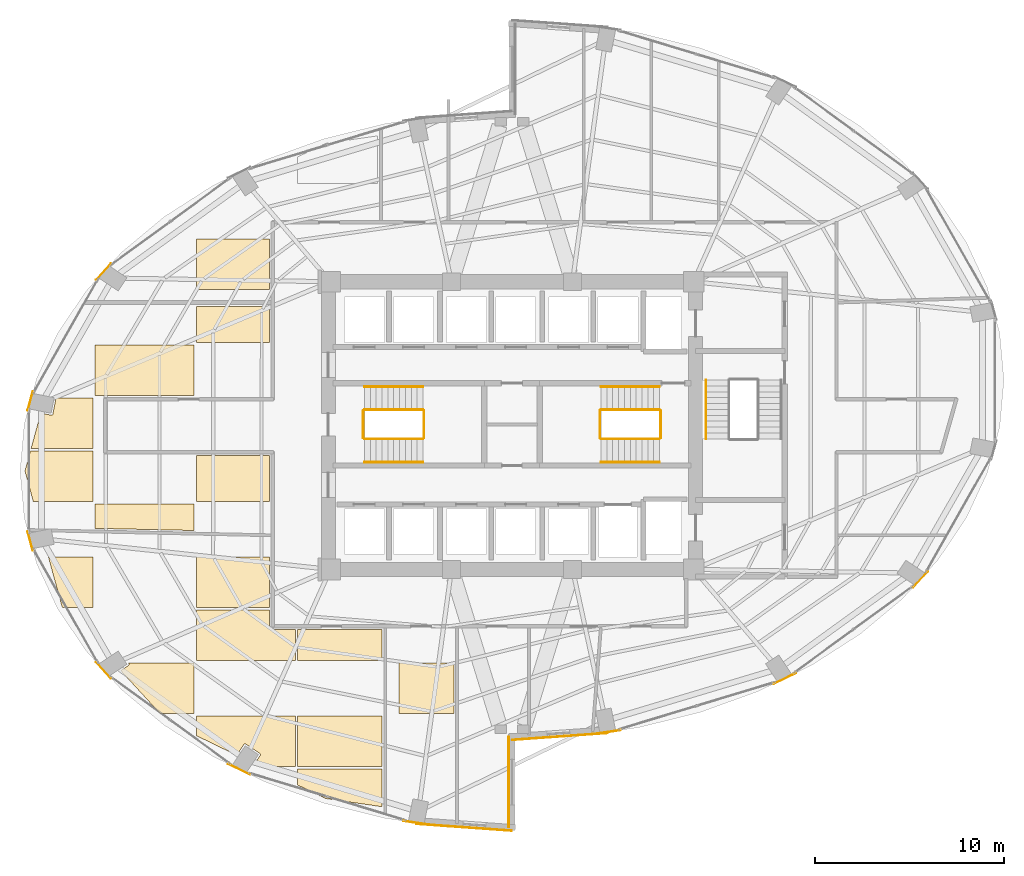
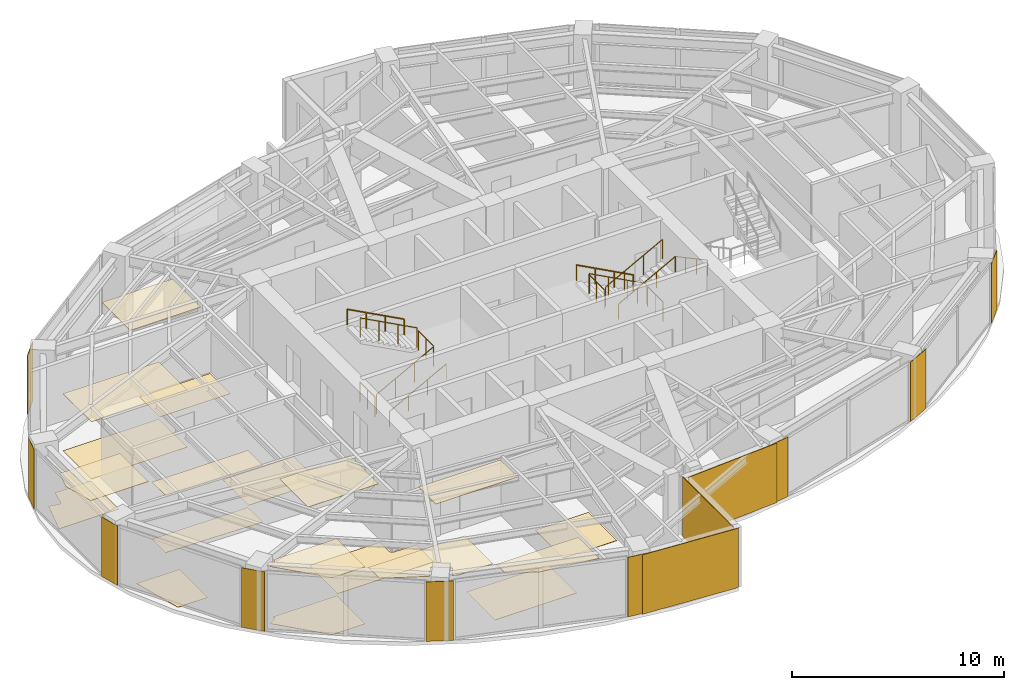
# One storey, part 22 of 23: 31 coverings, 13 railings.
"""IFC4 building model written with IfcOpenShell, lengths in metres."""

from ifc_helpers import new_model, si_unit, direction, frame, origin, origin_2d, place, context, subcontext, project, spatial, polyline, rectangle, circle, outline, extrude, material, layer, layer_set, type_object, element, save


model = new_model("IFC4")

# Units and contexts
model_context = context("Model", 3, precision=1e-05, world=origin(), true_north=direction((0.0, 1.0)))
body_context = subcontext(model_context, "Body", "Model", "MODEL_VIEW")
ifc_project = project(units=[si_unit("LENGTHUNIT", "METRE"), si_unit("AREAUNIT", "SQUARE_METRE"), si_unit("VOLUMEUNIT", "CUBIC_METRE"), si_unit("PLANEANGLEUNIT", "RADIAN"), si_unit("MASSUNIT", "GRAM", prefix="KILO")], contexts=[model_context])

# Site, building, storey
site_placement = place(None, origin())
site = spatial("IfcSite", under=ifc_project, at=site_placement, CompositionType="ELEMENT")
building_placement = place(site_placement, origin())
building = spatial("IfcBuilding", under=site, at=building_placement, Name="Lazwardi Medical Tower", CompositionType="ELEMENT")
storey_placement = place(building_placement, frame((0.0, 0.0, 85.39208984375)))
storey = spatial("IfcBuildingStorey", under=building, at=storey_placement, Name="L21", CompositionType="ELEMENT", Elevation=85.39208984375)

# Coverings
ifc_material_1 = material(Name="Anodised bronze aluminium cassette cladding", Category="aluminium")
ifc_layer_1 = layer(ifc_material_1, 0.030029296875)
ifc_layer_set_1 = layer_set([ifc_layer_1], Name="Anodised bronze aluminium cassette cladding")
covering_type_1 = type_object("IfcCoveringType", Name="COV-CLD-BRZ", PredefinedType="CLADDING", material=ifc_layer_set_1)
covering_1_placement = place(storey_placement, frame((41.064208984375, 11.80322265625, 0.0), z_axis=(0.0, 0.0, 1.0), x_axis=(0.989609019093, 0.143784523955, 0.0)))
element("IfcCovering", 1, at=covering_1_placement, inside=storey, type_object=covering_type_1, Name="L21 Mega-column bronze cassette cover M01", PredefinedType="CLADDING", context=body_context, shape_type="SweptSolid", body=[
    extrude(rectangle(XDim=1.392333984375, YDim=0.030029296875, at=origin_2d()), origin(), (0.0, 0.0, 1.0), 3.427978515625),
])
covering_2_placement = place(storey_placement, frame((50.421875, 14.634521484375, 0.0), z_axis=(0.0, 0.0, 1.0), x_axis=(0.898679250201, 0.438606435495, 0.0)))
element("IfcCovering", 2, at=covering_2_placement, inside=storey, type_object=covering_type_1, Name="L21 Mega-column bronze cassette cover M02", PredefinedType="CLADDING", context=body_context, shape_type="SweptSolid", body=[
    extrude(rectangle(XDim=1.2998046875, YDim=0.030029296875, at=origin_2d()), origin(), (0.0, 0.0, 1.0), 3.427978515625),
])
for number, where, z_axis, x_axis, name in (
    (3, (57.583740234375, 19.86572265625, 0.0), (0.0, 0.0, 1.0), (0.674925949214, 0.737885467453, 0.0), "L21 Mega-column bronze cassette cover M03"),
    (4, (14.416259765625, 36.13427734375, 0.0), (0.0, 0.0, 1.0), (-0.674925949214, -0.737885467453, 0.0), "L21 Mega-column bronze cassette cover M11"),
):
    element("IfcCovering", number, at=place(storey_placement, frame(where, z_axis=z_axis, x_axis=x_axis)), inside=storey, type_object=covering_type_1, Name=name, PredefinedType="CLADDING", context=body_context, shape_type="SweptSolid", body=[
        extrude(rectangle(XDim=1.15625, YDim=0.030029296875, at=origin_2d()), origin(), (0.0, 0.0, 1.0), 3.427978515625),
    ])
for number, where, z_axis, x_axis, name in (
    (5, (10.540283203125, 29.299072265625, 0.0), (0.0, 0.0, 1.0), (-0.262696108164, -0.964878621774, 0.0), "L21 Mega-column bronze cassette cover M12"),
    (6, (10.540283203125, 21.90087890625, 0.0), (0.0, 0.0, 1.0), (0.262696108164, -0.964878621774, 0.0), "L21 Mega-column bronze cassette cover M13"),
):
    element("IfcCovering", number, at=place(storey_placement, frame(where, z_axis=z_axis, x_axis=x_axis)), inside=storey, type_object=covering_type_1, Name=name, PredefinedType="CLADDING", context=body_context, shape_type="SweptSolid", body=[
        extrude(rectangle(XDim=1.04296875, YDim=0.030029296875, at=origin_2d()), origin(), (0.0, 0.0, 1.0), 3.427978515625),
    ])
covering_3_placement = place(storey_placement, frame((14.416259765625, 15.06591796875, 0.0), z_axis=(0.0, 0.0, 1.0), x_axis=(0.674925949214, -0.737885467453, 0.0)))
element("IfcCovering", 7, at=covering_3_placement, inside=storey, type_object=covering_type_1, Name="L21 Mega-column bronze cassette cover M14", PredefinedType="CLADDING", context=body_context, shape_type="SweptSolid", body=[
    extrude(rectangle(XDim=1.15625, YDim=0.030029296875, at=origin_2d()), origin(), (0.0, 0.0, 1.0), 3.427978515625),
])
covering_4_placement = place(storey_placement, frame((21.578125, 9.83447265625, 0.0), z_axis=(0.0, 0.0, 1.0), x_axis=(0.898679250201, -0.438606435495, 0.0)))
element("IfcCovering", 8, at=covering_4_placement, inside=storey, type_object=covering_type_1, Name="L21 Mega-column bronze cassette cover M15", PredefinedType="CLADDING", context=body_context, shape_type="SweptSolid", body=[
    extrude(rectangle(XDim=1.2998046875, YDim=0.030029296875, at=origin_2d()), origin(), (0.0, 0.0, 1.0), 3.427978515625),
])
covering_5_placement = place(storey_placement, frame((30.935791015625, 7.00341796875, 0.0), z_axis=(0.0, 0.0, 1.0), x_axis=(0.989609019093, -0.143784523955, 0.0)))
element("IfcCovering", 9, at=covering_5_placement, inside=storey, type_object=covering_type_1, Name="L21 Mega-column bronze cassette cover M16", PredefinedType="CLADDING", context=body_context, shape_type="SweptSolid", body=[
    extrude(rectangle(XDim=1.392333984375, YDim=0.030029296875, at=origin_2d()), origin(), (0.0, 0.0, 1.0), 3.427978515625),
])
ifc_material_2 = material(Name="Turquoise glazed ceramic tilework cladding", Category="masonry")
ifc_layer_2 = layer(ifc_material_2, 0.034912109375)
ifc_layer_set_2 = layer_set([ifc_layer_2], Name="Turquoise glazed ceramic tilework cladding")
covering_type_2 = type_object("IfcCoveringType", Name="COV-CLD-TRQ", PredefinedType="CLADDING", material=ifc_layer_set_2)
covering_6_placement = place(storey_placement, frame((38.533203125, 11.56591796875, 0.0), z_axis=(0.0, 0.0, 1.0), x_axis=(0.997431665415, 0.07162452672, 0.0)))
element("IfcCovering", 10, at=covering_6_placement, inside=storey, type_object=covering_type_2, Name="L21 Turquoise glazed ceramic tilework cladding", PredefinedType="CLADDING", context=body_context, shape_type="SweptSolid", body=[
    extrude(rectangle(XDim=5.05419921875, YDim=0.034912109375, at=origin_2d()), origin(), (0.0, 0.0, 1.0), 3.427978515625),
])
covering_7_placement = place(storey_placement, frame((33.466552734375, 6.76611328125, 0.0), z_axis=(0.0, 0.0, 1.0), x_axis=(0.997431165357, -0.071631490105, 0.0)))
element("IfcCovering", 11, at=covering_7_placement, inside=storey, type_object=covering_type_2, Name="L21 Turquoise glazed ceramic tilework cladding", PredefinedType="CLADDING", context=body_context, shape_type="SweptSolid", body=[
    extrude(rectangle(XDim=5.0537109375, YDim=0.034912109375, at=origin_2d()), origin(), (0.0, 0.0, 1.0), 3.427978515625),
])
covering_8_placement = place(storey_placement, frame((35.824462890625, 9.159912109375, 0.0), z_axis=(0.0, 0.0, 1.0), x_axis=(0.0, 1.0, 0.0)))
element("IfcCovering", 12, at=covering_8_placement, inside=storey, type_object=covering_type_2, Name="L21 Turquoise glazed ceramic tilework iwan panel", PredefinedType="CLADDING", context=body_context, shape_type="SweptSolid", body=[
    extrude(rectangle(XDim=4.800048828125, YDim=0.034912109375, at=origin_2d()), origin(), (0.0, 0.0, 1.0), 3.427978515625),
])
ifc_material_3 = material(Name="Acoustic mineral fibre tile")
ifc_layer_3 = layer(ifc_material_3, 0.02490234375)
ifc_layer_set_3 = layer_set([ifc_layer_3], Name="Acoustic mineral fibre tile")
covering_type_3 = type_object("IfcCoveringType", Name="COV-CLG-01", PredefinedType="CEILING", material=ifc_layer_set_3)
covering_9_placement = place(storey_placement, frame((0.0, 0.0, 3.282958984375)))
element("IfcCovering", 13, at=covering_9_placement, inside=storey, type_object=covering_type_3, Name="L21 Clinical Acoustic Ceiling 1", PredefinedType="CEILING", context=body_context, shape_type="SweptSolid", body=[
    extrude(outline(polyline([(10.552978515625, 26.662353515625), (10.262939453125, 25.60009765625), (10.704345703125, 23.982421875), (13.852783203125, 23.982421875), (13.852783203125, 26.662353515625), (10.552978515625, 26.662353515625)])), origin(), (0.0, 0.0, 1.0), 0.02490234375),
])
covering_10_placement = place(storey_placement, frame((0.0, 0.0, 3.282958984375)))
element("IfcCovering", 14, at=covering_10_placement, inside=storey, type_object=covering_type_3, Name="L21 Clinical Acoustic Ceiling 2", PredefinedType="CEILING", context=body_context, shape_type="SweptSolid", body=[
    extrude(outline(polyline([(15.725830078125, 15.46240234375), (15.748779296875, 15.42822265625), (15.752685546875, 15.421630859375), (15.756103515625, 15.41455078125), (15.7587890625, 15.406982421875), (15.7607421875, 15.3994140625), (15.76171875, 15.3916015625), (15.76220703125, 15.3837890625), (15.76171875, 15.376220703125), (15.7607421875, 15.368408203125), (15.7587890625, 15.360595703125), (15.756103515625, 15.353271484375), (15.752685546875, 15.34619140625), (15.748779296875, 15.339599609375), (15.743896484375, 15.3330078125), (15.73876953125, 15.327392578125), (15.73291015625, 15.322021484375), (15.7265625, 15.3173828125), (15.32421875, 15.048583984375), (17.401611328125, 12.782470703125), (19.202880859375, 12.782470703125), (19.202880859375, 15.46240234375), (15.725830078125, 15.46240234375)])), origin(), (0.0, 0.0, 1.0), 0.02490234375),
])
covering_11_placement = place(storey_placement, frame((0.0, 0.0, 3.282958984375)))
element("IfcCovering", 15, at=covering_11_placement, inside=storey, type_object=covering_type_3, Name="L21 Clinical Acoustic Ceiling 3", PredefinedType="CEILING", context=body_context, shape_type="SweptSolid", body=[
    extrude(outline(polyline([(13.972900390625, 22.56787109375), (19.202880859375, 22.45458984375), (19.202880859375, 23.8623046875), (13.972900390625, 23.8623046875), (13.972900390625, 22.56787109375)])), origin(), (0.0, 0.0, 1.0), 0.02490234375),
])
covering_12_placement = place(storey_placement, frame((0.0, 0.0, 3.282958984375)))
element("IfcCovering", 16, at=covering_12_placement, inside=storey, type_object=covering_type_3, Name="L21 Clinical Acoustic Ceiling 4", PredefinedType="CEILING", context=body_context, shape_type="SweptSolid", body=[
    extrude(outline(polyline([(19.202880859375, 29.58251953125), (19.202880859375, 32.262451171875), (13.972900390625, 32.262451171875), (13.972900390625, 29.58251953125), (19.202880859375, 29.58251953125)])), origin(), (0.0, 0.0, 1.0), 0.02490234375),
])
covering_13_placement = place(storey_placement, frame((0.0, 0.0, 3.282958984375)))
element("IfcCovering", 17, at=covering_13_placement, inside=storey, type_object=covering_type_3, Name="L21 Clinical Acoustic Ceiling 5", PredefinedType="CEILING", context=body_context, shape_type="SweptSolid", body=[
    extrude(outline(polyline([(19.322998046875, 11.611572265625), (21.447509765625, 10.576904296875), (21.828369140625, 11.14697265625), (21.8330078125, 11.1533203125), (21.83837890625, 11.1591796875), (21.843994140625, 11.164306640625), (21.8505859375, 11.1689453125), (21.857177734375, 11.173095703125), (21.8642578125, 11.176513671875), (21.87158203125, 11.17919921875), (21.87939453125, 11.180908203125), (21.88720703125, 11.18212890625), (21.89501953125, 11.1826171875), (21.902587890625, 11.18212890625), (21.910400390625, 11.180908203125), (21.918212890625, 11.17919921875), (21.925537109375, 11.176513671875), (21.9326171875, 11.173095703125), (21.939208984375, 11.1689453125), (22.6708984375, 10.68017578125), (22.677490234375, 10.67529296875), (22.68310546875, 10.670166015625), (22.6884765625, 10.664306640625), (22.693115234375, 10.657958984375), (22.697265625, 10.6513671875), (22.700439453125, 10.644287109375), (22.703125, 10.63671875), (22.705078125, 10.629150390625), (22.706298828125, 10.621337890625), (22.70654296875, 10.613525390625), (22.706298828125, 10.605712890625), (22.705078125, 10.597900390625), (22.703125, 10.59033203125), (22.700439453125, 10.5830078125), (22.697265625, 10.575927734375), (22.693115234375, 10.569091796875), (22.39111328125, 10.1171875), (22.667724609375, 9.982421875), (24.552978515625, 9.982421875), (24.552978515625, 12.662353515625), (19.322998046875, 12.662353515625), (19.322998046875, 11.611572265625)])), origin(), (0.0, 0.0, 1.0), 0.02490234375),
])
covering_14_placement = place(storey_placement, frame((0.0, 0.0, 3.282958984375)))
element("IfcCovering", 18, at=covering_14_placement, inside=storey, type_object=covering_type_3, Name="L21 Clinical Acoustic Ceiling 6", PredefinedType="CEILING", context=body_context, shape_type="SweptSolid", body=[
    extrude(outline(polyline([(23.175048828125, 18.38232421875), (23.175048828125, 21.0625), (19.322998046875, 21.0625), (19.322998046875, 18.38232421875), (23.175048828125, 18.38232421875)])), origin(), (0.0, 0.0, 1.0), 0.02490234375),
])
covering_15_placement = place(storey_placement, frame((0.0, 0.0, 3.282958984375)))
element("IfcCovering", 19, at=covering_15_placement, inside=storey, type_object=covering_type_3, Name="L21 Clinical Acoustic Ceiling 7", PredefinedType="CEILING", context=body_context, shape_type="SweptSolid", body=[
    extrude(outline(polyline([(23.175048828125, 35.182373046875), (23.175048828125, 37.8623046875), (19.322998046875, 37.8623046875), (19.322998046875, 35.182373046875), (23.175048828125, 35.182373046875)])), origin(), (0.0, 0.0, 1.0), 0.02490234375),
])
covering_16_placement = place(storey_placement, frame((0.0, 0.0, 3.282958984375)))
element("IfcCovering", 20, at=covering_16_placement, inside=storey, type_object=covering_type_3, Name="L21 Clinical Acoustic Ceiling 8", PredefinedType="CEILING", context=body_context, shape_type="SweptSolid", body=[
    extrude(outline(polyline([(24.6728515625, 9.005859375), (26.142822265625, 8.2900390625), (29.135009765625, 7.856201171875), (29.135009765625, 9.8623046875), (24.6728515625, 9.8623046875), (24.6728515625, 9.005859375)])), origin(), (0.0, 0.0, 1.0), 0.02490234375),
])
covering_17_placement = place(storey_placement, frame((0.0, 0.0, 3.282958984375)))
element("IfcCovering", 21, at=covering_17_placement, inside=storey, type_object=covering_type_3, Name="L21 Clinical Acoustic Ceiling 9", PredefinedType="CEILING", context=body_context, shape_type="SweptSolid", body=[
    extrude(outline(polyline([(29.135009765625, 15.58251953125), (29.135009765625, 17.22509765625), (24.6728515625, 17.22509765625), (24.6728515625, 15.58251953125), (29.135009765625, 15.58251953125)])), origin(), (0.0, 0.0, 1.0), 0.02490234375),
])
ifc_material_4 = material(Name="Anti-static hospital vinyl sheet flooring")
ifc_layer_4 = layer(ifc_material_4, 0.014892578125)
ifc_layer_set_4 = layer_set([ifc_layer_4], Name="Anti-static hospital vinyl sheet flooring")
covering_type_4 = type_object("IfcCoveringType", Name="COV-FLR-01", PredefinedType="FLOORING", material=ifc_layer_set_4)
covering_18_placement = place(storey_placement, origin())
element("IfcCovering", 22, at=covering_18_placement, inside=storey, type_object=covering_type_4, Name="L21 Clinical Vinyl Flooring 1", PredefinedType="FLOORING", context=body_context, shape_type="SweptSolid", body=[
    extrude(outline(polyline([(11.501220703125, 21.0625), (12.217529296875, 18.437744140625), (12.26806640625, 18.38232421875), (13.852783203125, 18.38232421875), (13.852783203125, 21.0625), (11.501220703125, 21.0625)])), origin(), (0.0, 0.0, 1.0), 0.014892578125),
])
covering_19_placement = place(storey_placement, origin())
element("IfcCovering", 23, at=covering_19_placement, inside=storey, type_object=covering_type_4, Name="L21 Clinical Vinyl Flooring 2", PredefinedType="FLOORING", context=body_context, shape_type="SweptSolid", body=[
    extrude(outline(polyline([(11.906982421875, 29.46240234375), (11.73779296875, 28.61181640625), (11.73583984375, 28.604248046875), (11.733154296875, 28.5966796875), (11.72998046875, 28.589599609375), (11.725830078125, 28.5830078125), (11.72119140625, 28.57666015625), (11.7158203125, 28.57080078125), (11.710205078125, 28.565673828125), (11.70361328125, 28.560791015625), (11.697021484375, 28.556884765625), (11.68994140625, 28.553466796875), (11.6826171875, 28.55078125), (11.6748046875, 28.548828125), (11.6669921875, 28.5478515625), (11.6591796875, 28.54736328125), (11.651611328125, 28.5478515625), (11.643798828125, 28.548828125), (11.097412109375, 28.65771484375), (10.585693359375, 26.782470703125), (13.852783203125, 26.782470703125), (13.852783203125, 29.46240234375), (11.906982421875, 29.46240234375)])), origin(), (0.0, 0.0, 1.0), 0.014892578125),
])
covering_20_placement = place(storey_placement, origin())
element("IfcCovering", 24, at=covering_20_placement, inside=storey, type_object=covering_type_4, Name="L21 Clinical Vinyl Flooring 3", PredefinedType="FLOORING", context=body_context, shape_type="SweptSolid", body=[
    extrude(outline(polyline([(15.725830078125, 15.46240234375), (15.748779296875, 15.42822265625), (15.752685546875, 15.421630859375), (15.756103515625, 15.41455078125), (15.7587890625, 15.406982421875), (15.7607421875, 15.3994140625), (15.76171875, 15.3916015625), (15.76220703125, 15.3837890625), (15.76171875, 15.376220703125), (15.7607421875, 15.368408203125), (15.7587890625, 15.360595703125), (15.756103515625, 15.353271484375), (15.752685546875, 15.34619140625), (15.748779296875, 15.339599609375), (15.743896484375, 15.3330078125), (15.73876953125, 15.327392578125), (15.73291015625, 15.322021484375), (15.7265625, 15.3173828125), (15.32421875, 15.048583984375), (17.401611328125, 12.782470703125), (19.202880859375, 12.782470703125), (19.202880859375, 15.46240234375), (15.725830078125, 15.46240234375)])), origin(), (0.0, 0.0, 1.0), 0.014892578125),
])
covering_21_placement = place(storey_placement, origin())
element("IfcCovering", 25, at=covering_21_placement, inside=storey, type_object=covering_type_4, Name="L21 Clinical Vinyl Flooring 4", PredefinedType="FLOORING", context=body_context, shape_type="SweptSolid", body=[
    extrude(outline(polyline([(13.972900390625, 22.56787109375), (19.202880859375, 22.45458984375), (19.202880859375, 23.8623046875), (13.972900390625, 23.8623046875), (13.972900390625, 22.56787109375)])), origin(), (0.0, 0.0, 1.0), 0.014892578125),
])
covering_22_placement = place(storey_placement, origin())
element("IfcCovering", 26, at=covering_22_placement, inside=storey, type_object=covering_type_4, Name="L21 Clinical Vinyl Flooring 5", PredefinedType="FLOORING", context=body_context, shape_type="SweptSolid", body=[
    extrude(outline(polyline([(19.202880859375, 29.58251953125), (19.202880859375, 32.262451171875), (13.972900390625, 32.262451171875), (13.972900390625, 29.58251953125), (19.202880859375, 29.58251953125)])), origin(), (0.0, 0.0, 1.0), 0.014892578125),
])
covering_23_placement = place(storey_placement, origin())
element("IfcCovering", 27, at=covering_23_placement, inside=storey, type_object=covering_type_4, Name="L21 Clinical Vinyl Flooring 6", PredefinedType="FLOORING", context=body_context, shape_type="SweptSolid", body=[
    extrude(outline(polyline([(24.552978515625, 17.22509765625), (23.35009765625, 17.22509765625), (23.345703125, 17.22509765625), (23.33642578125, 17.2255859375), (23.32958984375, 17.226318359375), (23.3203125, 17.2275390625), (23.31201171875, 17.229248046875), (23.302734375, 17.2314453125), (23.2958984375, 17.233642578125), (23.287109375, 17.23681640625), (23.279296875, 17.239990234375), (23.270751953125, 17.243896484375), (23.263916015625, 17.24755859375), (23.256103515625, 17.25244140625), (23.249267578125, 17.2568359375), (23.24169921875, 17.262451171875), (23.236083984375, 17.26708984375), (23.229248046875, 17.273193359375), (23.223388671875, 17.279296875), (23.217041015625, 17.2861328125), (23.21240234375, 17.291748046875), (23.206787109375, 17.29931640625), (23.202392578125, 17.305908203125), (23.197509765625, 17.31396484375), (23.194091796875, 17.32080078125), (23.18994140625, 17.3291015625), (23.186767578125, 17.3369140625), (23.18359375, 17.345703125), (23.181396484375, 17.352783203125), (23.17919921875, 17.36181640625), (23.177490234375, 17.370361328125), (23.17626953125, 17.37939453125), (23.175537109375, 17.386474609375), (23.175048828125, 17.395751953125), (23.175048828125, 17.39990234375), (23.175048828125, 18.262451171875), (19.322998046875, 18.262451171875), (19.322998046875, 15.58251953125), (24.552978515625, 15.58251953125), (24.552978515625, 17.22509765625)])), origin(), (0.0, 0.0, 1.0), 0.014892578125),
])
covering_24_placement = place(storey_placement, origin())
element("IfcCovering", 28, at=covering_24_placement, inside=storey, type_object=covering_type_4, Name="L21 Clinical Vinyl Flooring 7", PredefinedType="FLOORING", context=body_context, shape_type="SweptSolid", body=[
    extrude(outline(polyline([(23.175048828125, 23.982421875), (23.175048828125, 26.425048828125), (19.322998046875, 26.425048828125), (19.322998046875, 23.982421875), (23.175048828125, 23.982421875)])), origin(), (0.0, 0.0, 1.0), 0.014892578125),
])
covering_25_placement = place(storey_placement, origin())
element("IfcCovering", 29, at=covering_25_placement, inside=storey, type_object=covering_type_4, Name="L21 Clinical Vinyl Flooring 8", PredefinedType="FLOORING", context=body_context, shape_type="SweptSolid", body=[
    extrude(outline(polyline([(23.175048828125, 32.38232421875), (23.175048828125, 34.300048828125), (19.322998046875, 34.300048828125), (19.322998046875, 32.38232421875), (23.175048828125, 32.38232421875)])), origin(), (0.0, 0.0, 1.0), 0.014892578125),
])
covering_26_placement = place(storey_placement, origin())
element("IfcCovering", 30, at=covering_26_placement, inside=storey, type_object=covering_type_4, Name="L21 Clinical Vinyl Flooring 9", PredefinedType="FLOORING", context=body_context, shape_type="SweptSolid", body=[
    extrude(outline(polyline([(29.135009765625, 9.982421875), (29.135009765625, 12.662353515625), (24.6728515625, 12.662353515625), (24.6728515625, 9.982421875), (29.135009765625, 9.982421875)])), origin(), (0.0, 0.0, 1.0), 0.014892578125),
])
covering_27_placement = place(storey_placement, origin())
element("IfcCovering", 31, at=covering_27_placement, inside=storey, type_object=covering_type_4, Name="L21 Clinical Vinyl Flooring 10", PredefinedType="FLOORING", context=body_context, shape_type="SweptSolid", body=[
    extrude(outline(polyline([(32.93505859375, 12.782470703125), (32.93505859375, 15.46240234375), (30.02294921875, 15.46240234375), (30.02294921875, 12.782470703125), (32.93505859375, 12.782470703125)])), origin(), (0.0, 0.0, 1.0), 0.014892578125),
])

# Railings
ifc_material_5 = material(Name="Stainless steel Grade 316", Category="steel")
railing_type_1 = type_object("IfcRailingType", Name="RLG-GRD-1150", PredefinedType="GUARDRAIL", material=ifc_material_5)
railing_1_placement = place(storey_placement, frame((28.199951171875, 27.2900390625, 0.165771484375)))
element("IfcRailing", 32, at=railing_1_placement, inside=storey, type_object=railing_type_1, Name="L21 ST1 stair guard 1", PredefinedType="GUARDRAIL", context=body_context, shape_type="SweptSolid", body=[
    extrude(circle(Radius=0.02392578125, at=origin_2d()), frame((0.0, 0.0, 1.1259765625), z_axis=(0.881783298633, 0.0, 0.471654761719), x_axis=(0.0, 1.0, 0.0)), (0.0, 0.0, 1.0), 3.515625),
    extrude(circle(Radius=0.02099609375, at=origin_2d()), origin(), (0.0, 0.0, 1.0), 1.099853515625),
    extrude(circle(Radius=0.02099609375, at=origin_2d()), frame((1.033447265625, 0.0, 0.552734375)), (0.0, 0.0, 1.0), 1.099853515625),
    extrude(circle(Radius=0.02099609375, at=origin_2d()), frame((2.066650390625, 0.0, 1.10546875)), (0.0, 0.0, 1.0), 1.099853515625),
    extrude(circle(Radius=0.02099609375, at=origin_2d()), frame((3.10009765625, 0.0, 1.658203125)), (0.0, 0.0, 1.0), 1.099853515625),
])
railing_2_placement = place(storey_placement, frame((31.35009765625, 27.340087890625, 1.823974609375)))
element("IfcRailing", 33, at=railing_2_placement, inside=storey, type_object=railing_type_1, Name="L21 ST1 stair guard 2", PredefinedType="GUARDRAIL", context=body_context, shape_type="SweptSolid", body=[
    extrude(circle(Radius=0.02392578125, at=origin_2d()), frame((0.0, 0.0, 1.1259765625), z_axis=(0.0, 1.0, 0.0), x_axis=(-1.0, 0.0, 0.0)), (0.0, 0.0, 1.0), 1.43994140625),
    extrude(circle(Radius=0.02099609375, at=origin_2d()), origin(), (0.0, 0.0, 1.0), 1.099853515625),
    extrude(circle(Radius=0.02099609375, at=origin_2d()), frame((0.0, 0.719970703125, 0.0)), (0.0, 0.0, 1.0), 1.099853515625),
    extrude(circle(Radius=0.02099609375, at=origin_2d()), frame((0.0, 1.43994140625, 0.0)), (0.0, 0.0, 1.0), 1.099853515625),
])
railing_3_placement = place(storey_placement, frame((31.300048828125, 28.830078125, 1.98974609375)))
element("IfcRailing", 34, at=railing_3_placement, inside=storey, type_object=railing_type_1, Name="L21 ST1 stair guard 3", PredefinedType="GUARDRAIL", context=body_context, shape_type="SweptSolid", body=[
    extrude(circle(Radius=0.02392578125, at=origin_2d()), frame((0.0, 0.0, 1.1259765625), z_axis=(-0.881783298633, 0.0, 0.471654761719), x_axis=(0.0, -1.0, 0.0)), (0.0, 0.0, 1.0), 3.515625),
    extrude(circle(Radius=0.02099609375, at=origin_2d()), origin(), (0.0, 0.0, 1.0), 1.099853515625),
    extrude(circle(Radius=0.02099609375, at=origin_2d()), frame((-1.033447265625, 0.0, 0.552734375)), (0.0, 0.0, 1.0), 1.099853515625),
    extrude(circle(Radius=0.02099609375, at=origin_2d()), frame((-2.066650390625, 0.0, 1.10546875)), (0.0, 0.0, 1.0), 1.099853515625),
    extrude(circle(Radius=0.02099609375, at=origin_2d()), frame((-3.10009765625, 0.0, 1.658203125)), (0.0, 0.0, 1.0), 1.099853515625),
])
railing_4_placement = place(storey_placement, frame((28.14990234375, 27.340087890625, 0.0)))
element("IfcRailing", 35, at=railing_4_placement, inside=storey, type_object=railing_type_1, Name="L21 ST1 stair guard 4", PredefinedType="GUARDRAIL", context=body_context, shape_type="SweptSolid", body=[
    extrude(circle(Radius=0.02392578125, at=origin_2d()), frame((0.0, 0.0, 1.1259765625), z_axis=(0.0, 1.0, 0.0), x_axis=(-1.0, 0.0, 0.0)), (0.0, 0.0, 1.0), 1.43994140625),
    extrude(circle(Radius=0.02099609375, at=origin_2d()), origin(), (0.0, 0.0, 1.0), 1.099853515625),
    extrude(circle(Radius=0.02099609375, at=origin_2d()), frame((0.0, 0.719970703125, 0.0)), (0.0, 0.0, 1.0), 1.099853515625),
    extrude(circle(Radius=0.02099609375, at=origin_2d()), frame((0.0, 1.43994140625, 0.0)), (0.0, 0.0, 1.0), 1.099853515625),
])
railing_5_placement = place(storey_placement, frame((43.800048828125, 28.830078125, 0.165771484375)))
element("IfcRailing", 36, at=railing_5_placement, inside=storey, type_object=railing_type_1, Name="L21 ST2 stair guard 1", PredefinedType="GUARDRAIL", context=body_context, shape_type="SweptSolid", body=[
    extrude(circle(Radius=0.02392578125, at=origin_2d()), frame((0.0, 0.0, 1.1259765625), z_axis=(-0.881783298633, 0.0, 0.471654761719), x_axis=(0.0, -1.0, 0.0)), (0.0, 0.0, 1.0), 3.515625),
    extrude(circle(Radius=0.02099609375, at=origin_2d()), origin(), (0.0, 0.0, 1.0), 1.099853515625),
    extrude(circle(Radius=0.02099609375, at=origin_2d()), frame((-1.033447265625, 0.0, 0.552734375)), (0.0, 0.0, 1.0), 1.099853515625),
    extrude(circle(Radius=0.02099609375, at=origin_2d()), frame((-2.066650390625, 0.0, 1.10546875)), (0.0, 0.0, 1.0), 1.099853515625),
    extrude(circle(Radius=0.02099609375, at=origin_2d()), frame((-3.10009765625, 0.0, 1.658203125)), (0.0, 0.0, 1.0), 1.099853515625),
])
railing_6_placement = place(storey_placement, frame((40.64990234375, 28.780029296875, 1.823974609375)))
element("IfcRailing", 37, at=railing_6_placement, inside=storey, type_object=railing_type_1, Name="L21 ST2 stair guard 2", PredefinedType="GUARDRAIL", context=body_context, shape_type="SweptSolid", body=[
    extrude(circle(Radius=0.02392578125, at=origin_2d()), frame((0.0, 0.0, 1.1259765625), z_axis=(0.0, -1.0, 0.0), x_axis=(1.0, 0.0, 0.0)), (0.0, 0.0, 1.0), 1.43994140625),
    extrude(circle(Radius=0.02099609375, at=origin_2d()), origin(), (0.0, 0.0, 1.0), 1.099853515625),
    extrude(circle(Radius=0.02099609375, at=origin_2d()), frame((0.0, -0.719970703125, 0.0)), (0.0, 0.0, 1.0), 1.099853515625),
    extrude(circle(Radius=0.02099609375, at=origin_2d()), frame((0.0, -1.43994140625, 0.0)), (0.0, 0.0, 1.0), 1.099853515625),
])
railing_7_placement = place(storey_placement, frame((40.699951171875, 27.2900390625, 1.98974609375)))
element("IfcRailing", 38, at=railing_7_placement, inside=storey, type_object=railing_type_1, Name="L21 ST2 stair guard 3", PredefinedType="GUARDRAIL", context=body_context, shape_type="SweptSolid", body=[
    extrude(circle(Radius=0.02392578125, at=origin_2d()), frame((0.0, 0.0, 1.1259765625), z_axis=(0.881783298633, 0.0, 0.471654761719), x_axis=(0.0, 1.0, 0.0)), (0.0, 0.0, 1.0), 3.515625),
    extrude(circle(Radius=0.02099609375, at=origin_2d()), origin(), (0.0, 0.0, 1.0), 1.099853515625),
    extrude(circle(Radius=0.02099609375, at=origin_2d()), frame((1.033447265625, 0.0, 0.552734375)), (0.0, 0.0, 1.0), 1.099853515625),
    extrude(circle(Radius=0.02099609375, at=origin_2d()), frame((2.066650390625, 0.0, 1.10546875)), (0.0, 0.0, 1.0), 1.099853515625),
    extrude(circle(Radius=0.02099609375, at=origin_2d()), frame((3.10009765625, 0.0, 1.658203125)), (0.0, 0.0, 1.0), 1.099853515625),
])
railing_8_placement = place(storey_placement, frame((43.85009765625, 28.780029296875, 0.0)))
element("IfcRailing", 39, at=railing_8_placement, inside=storey, type_object=railing_type_1, Name="L21 ST2 stair guard 4", PredefinedType="GUARDRAIL", context=body_context, shape_type="SweptSolid", body=[
    extrude(circle(Radius=0.02392578125, at=origin_2d()), frame((0.0, 0.0, 1.1259765625), z_axis=(0.0, -1.0, 0.0), x_axis=(1.0, 0.0, 0.0)), (0.0, 0.0, 1.0), 1.43994140625),
    extrude(circle(Radius=0.02099609375, at=origin_2d()), origin(), (0.0, 0.0, 1.0), 1.099853515625),
    extrude(circle(Radius=0.02099609375, at=origin_2d()), frame((0.0, -0.719970703125, 0.0)), (0.0, 0.0, 1.0), 1.099853515625),
    extrude(circle(Radius=0.02099609375, at=origin_2d()), frame((0.0, -1.43994140625, 0.0)), (0.0, 0.0, 1.0), 1.099853515625),
])
railing_type_2 = type_object("IfcRailingType", Name="RLG-HND-920", PredefinedType="HANDRAIL", material=ifc_material_5)
railing_9_placement = place(storey_placement, frame((28.199951171875, 26.070068359375, 0.165771484375)))
element("IfcRailing", 40, at=railing_9_placement, inside=storey, type_object=railing_type_2, Name="L21 ST1 stair handrail 1", PredefinedType="HANDRAIL", context=body_context, shape_type="SweptSolid", body=[
    extrude(circle(Radius=0.02392578125, at=origin_2d()), frame((0.0, 0.0, 0.8857421875), z_axis=(0.881783298633, 0.0, 0.471654761719), x_axis=(0.0, 1.0, 0.0)), (0.0, 0.0, 1.0), 3.515625),
    extrude(circle(Radius=0.02099609375, at=origin_2d()), origin(), (0.0, 0.0, 1.0), 0.85986328125),
    extrude(circle(Radius=0.02099609375, at=origin_2d()), frame((1.033447265625, 0.0, 0.552734375)), (0.0, 0.0, 1.0), 0.85986328125),
    extrude(circle(Radius=0.02099609375, at=origin_2d()), frame((2.066650390625, 0.0, 1.10546875)), (0.0, 0.0, 1.0), 0.85986328125),
    extrude(circle(Radius=0.02099609375, at=origin_2d()), frame((3.10009765625, 0.0, 1.658203125)), (0.0, 0.0, 1.0), 0.85986328125),
])
for number, where, name in (
    (41, (31.300048828125, 30.050048828125, 1.98974609375), "L21 ST1 stair handrail 2"),
    (42, (43.800048828125, 30.050048828125, 0.165771484375), "L21 ST2 stair handrail 1"),
):
    element("IfcRailing", number, at=place(storey_placement, frame(where)), inside=storey, type_object=railing_type_2, Name=name, PredefinedType="HANDRAIL", context=body_context, shape_type="SweptSolid", body=[
        extrude(circle(Radius=0.02392578125, at=origin_2d()), frame((0.0, 0.0, 0.8857421875), z_axis=(-0.881783298633, 0.0, 0.471654761719), x_axis=(0.0, -1.0, 0.0)), (0.0, 0.0, 1.0), 3.515625),
        extrude(circle(Radius=0.02099609375, at=origin_2d()), origin(), (0.0, 0.0, 1.0), 0.85986328125),
        extrude(circle(Radius=0.02099609375, at=origin_2d()), frame((-1.033447265625, 0.0, 0.552734375)), (0.0, 0.0, 1.0), 0.85986328125),
        extrude(circle(Radius=0.02099609375, at=origin_2d()), frame((-2.066650390625, 0.0, 1.10546875)), (0.0, 0.0, 1.0), 0.85986328125),
        extrude(circle(Radius=0.02099609375, at=origin_2d()), frame((-3.10009765625, 0.0, 1.658203125)), (0.0, 0.0, 1.0), 0.85986328125),
    ])
railing_10_placement = place(storey_placement, frame((40.699951171875, 26.070068359375, 1.98974609375)))
element("IfcRailing", 43, at=railing_10_placement, inside=storey, type_object=railing_type_2, Name="L21 ST2 stair handrail 2", PredefinedType="HANDRAIL", context=body_context, shape_type="SweptSolid", body=[
    extrude(circle(Radius=0.02392578125, at=origin_2d()), frame((0.0, 0.0, 0.8857421875), z_axis=(0.881783298633, 0.0, 0.471654761719), x_axis=(0.0, 1.0, 0.0)), (0.0, 0.0, 1.0), 3.515625),
    extrude(circle(Radius=0.02099609375, at=origin_2d()), origin(), (0.0, 0.0, 1.0), 0.85986328125),
    extrude(circle(Radius=0.02099609375, at=origin_2d()), frame((1.033447265625, 0.0, 0.552734375)), (0.0, 0.0, 1.0), 0.85986328125),
    extrude(circle(Radius=0.02099609375, at=origin_2d()), frame((2.066650390625, 0.0, 1.10546875)), (0.0, 0.0, 1.0), 0.85986328125),
    extrude(circle(Radius=0.02099609375, at=origin_2d()), frame((3.10009765625, 0.0, 1.658203125)), (0.0, 0.0, 1.0), 0.85986328125),
])
railing_11_placement = place(storey_placement, frame((46.25, 30.39990234375, 0.165771484375)))
element("IfcRailing", 44, at=railing_11_placement, inside=storey, type_object=railing_type_2, Name="L21 ST3 stair handrail 1", PredefinedType="HANDRAIL", context=body_context, shape_type="SweptSolid", body=[
    extrude(circle(Radius=0.02392578125, at=origin_2d()), frame((0.0, 0.0, 0.8857421875), z_axis=(0.0, -0.881767849116, 0.471683644262), x_axis=(1.0, 0.0, 0.0)), (0.0, 0.0, 1.0), 3.515380859375),
    extrude(circle(Radius=0.02099609375, at=origin_2d()), origin(), (0.0, 0.0, 1.0), 0.85986328125),
    extrude(circle(Radius=0.02099609375, at=origin_2d()), frame((0.0, -1.033203125, 0.552734375)), (0.0, 0.0, 1.0), 0.85986328125),
    extrude(circle(Radius=0.02099609375, at=origin_2d()), frame((0.0, -2.066650390625, 1.10546875)), (0.0, 0.0, 1.0), 0.85986328125),
    extrude(circle(Radius=0.02099609375, at=origin_2d()), frame((0.0, -3.099853515625, 1.658203125)), (0.0, 0.0, 1.0), 0.85986328125),
])

save(model, "model.ifc")
